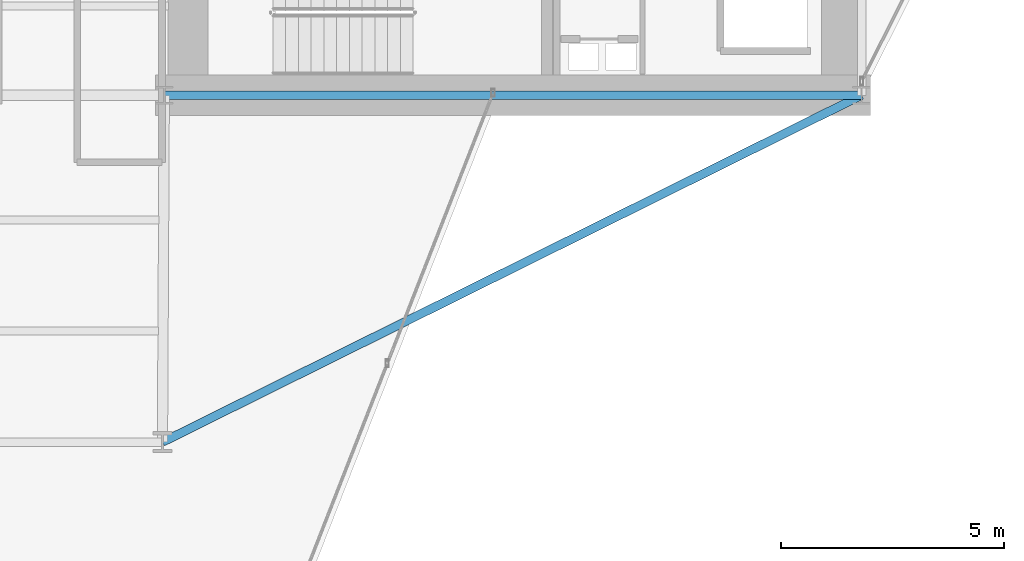
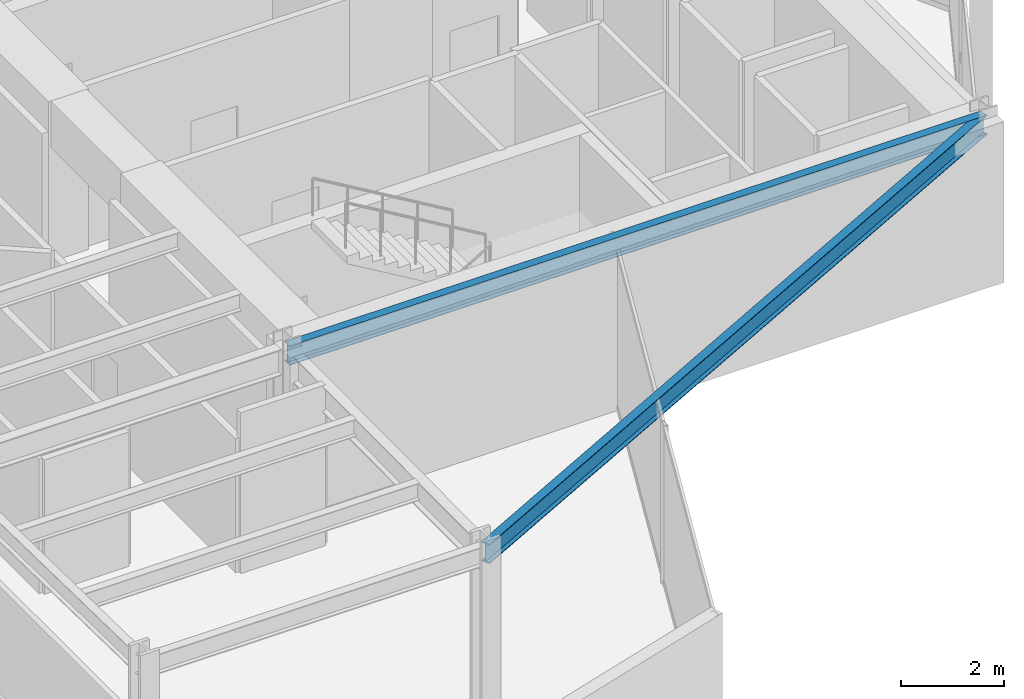
# One storey, part 15 of 30: 2 beams.
"""IFC4 building model written with IfcOpenShell, lengths in metres."""

from ifc_helpers import new_model, si_unit, direction, frame, origin, origin_2d, place, context, subcontext, project, spatial, i_section, extrude, material, material_profile, profile_set, type_object, element, save


model = new_model("IFC4")

# Units and contexts
model_context = context("Model", 3, precision=1e-05, world=origin(), true_north=direction((0.0, 1.0)))
body_context = subcontext(model_context, "Body", "Model", "MODEL_VIEW")
ifc_project = project(units=[si_unit("LENGTHUNIT", "METRE"), si_unit("AREAUNIT", "SQUARE_METRE"), si_unit("VOLUMEUNIT", "CUBIC_METRE"), si_unit("PLANEANGLEUNIT", "RADIAN"), si_unit("MASSUNIT", "GRAM", prefix="KILO")], contexts=[model_context])

# Site, building, storey
site_placement = place(None, origin())
site = spatial("IfcSite", under=ifc_project, at=site_placement, CompositionType="ELEMENT")
building_placement = place(site_placement, origin())
building = spatial("IfcBuilding", under=site, at=building_placement, Name="Veymaron Broadcast Tower", CompositionType="ELEMENT")
storey_placement = place(building_placement, frame((0.0, 0.0, 54.0)))
storey = spatial("IfcBuildingStorey", under=building, at=storey_placement, Name="L11", CompositionType="ELEMENT", Elevation=54.0)

# Beams
ifc_material = material(Name="Structural steel ASTM A992 Gr 50", Category="steel")
ifc_material_profile = material_profile(ifc_material, i_section(OverallWidth=0.19091796875, OverallDepth=0.4599609375, WebThickness=0.010009765625, FlangeThickness=0.01611328125, at=origin_2d()), Name="W460X82")
ifc_profile_set = profile_set([ifc_material_profile], Name="Structural steel ASTM A992 Gr 50")
beam_type = type_object("IfcBeamType", Name="BM-SP1", PredefinedType="SPANDREL", material=ifc_profile_set)
beam_1_placement = place(storey_placement, frame((39.0, 16.0, 3.580078125), z_axis=(1.0, 0.0, 0.0), x_axis=(0.0, 1.0, 0.0)))
element("IfcBeam", 1, at=beam_1_placement, inside=storey, type_object=beam_type, Name="L11 primary structural floor girder", PredefinedType="SPANDREL", context=body_context, shape_type="SweptSolid", body=[
    extrude(i_section(OverallWidth=0.19091796875, OverallDepth=0.4599609375, WebThickness=0.010009765625, FlangeThickness=0.01611328125, at=origin_2d()), origin(), (0.0, 0.0, 1.0), 15.60009765625),
])
beam_2_placement = place(storey_placement, frame((54.60009765625, 16.0, 3.580078125), z_axis=(-0.895798915405, -0.444459563019, 0.0), x_axis=(0.444459563019, -0.895798915405, 0.0)))
element("IfcBeam", 2, at=beam_2_placement, inside=storey, type_object=beam_type, Name="L11 primary structural floor girder", PredefinedType="SPANDREL", context=body_context, shape_type="SweptSolid", body=[
    extrude(i_section(OverallWidth=0.19091796875, OverallDepth=0.4599609375, WebThickness=0.010009765625, FlangeThickness=0.01611328125, at=origin_2d()), origin(), (0.0, 0.0, 1.0), 17.45947265625),
])

save(model, "model.ifc")
